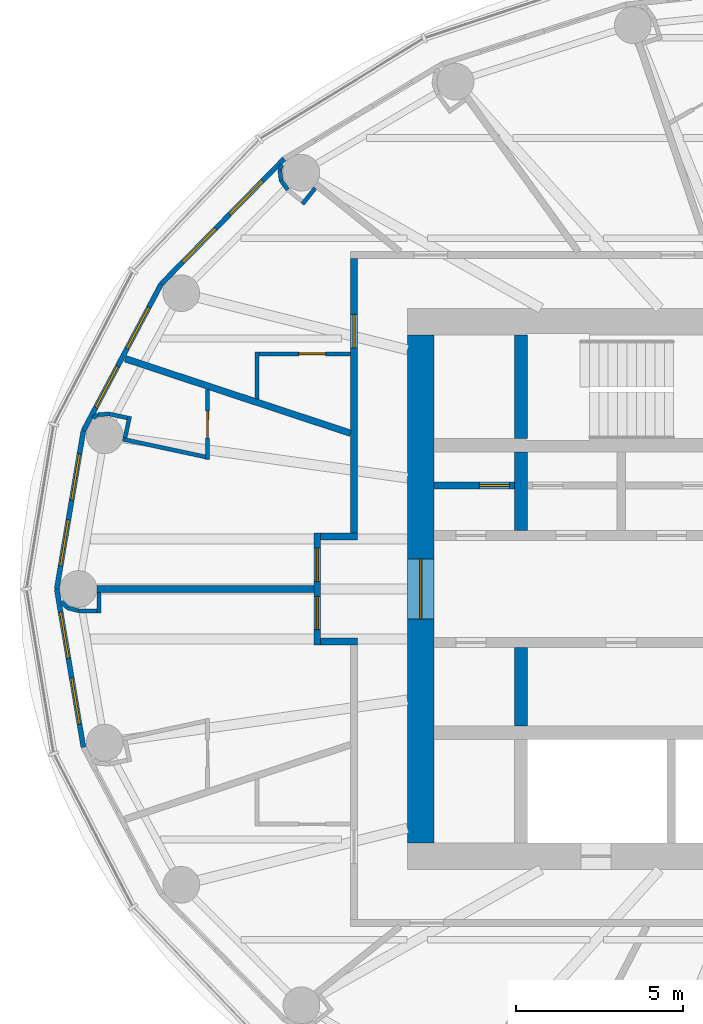
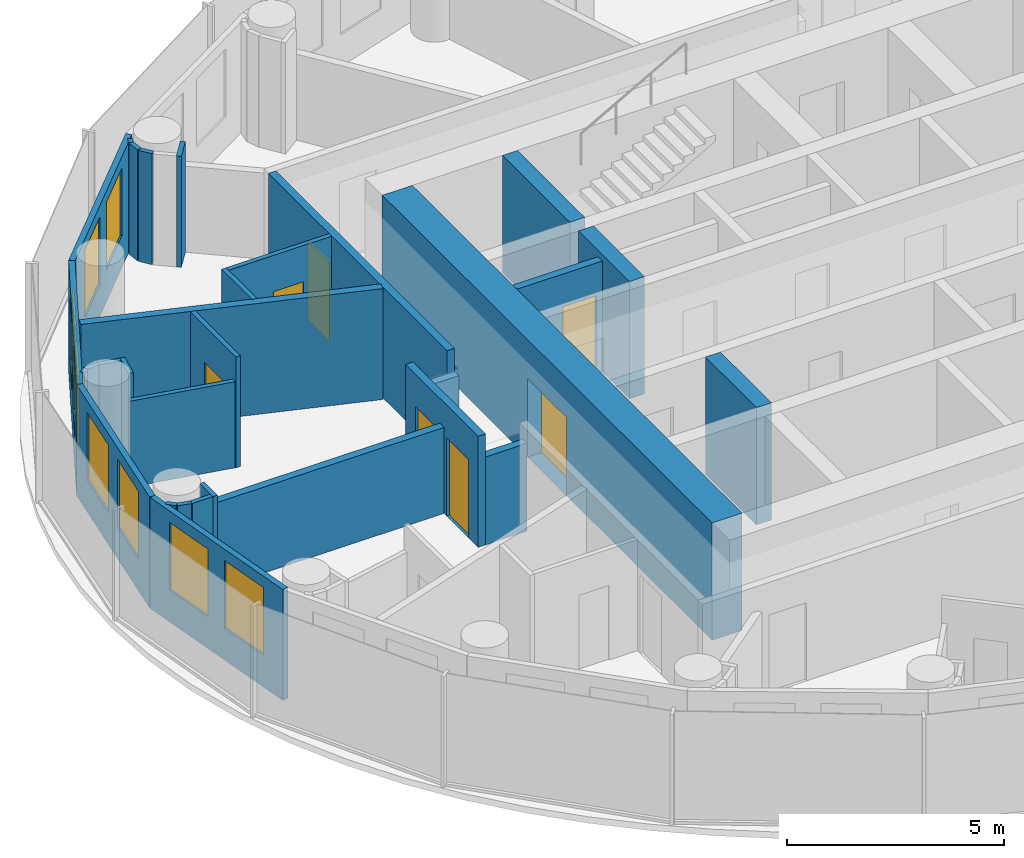
# One storey, part 8 of 13: 31 walls, 8 windows, 7 doors, 15 openings.
"""IFC4 building model written with IfcOpenShell, lengths in metres."""

from ifc_helpers import new_model, si_unit, direction, frame, frame_2d, origin, place, context, subcontext, project, spatial, rectangle, extrude, material, layer, layer_set, type_object, element, fill, save


model = new_model("IFC4")

# Units and contexts
model_context = context("Model", 3, precision=1e-05, world=origin(), true_north=direction((0.0, 1.0)))
body_context = subcontext(model_context, "Body", "Model", "MODEL_VIEW")
ifc_project = project(units=[si_unit("LENGTHUNIT", "METRE"), si_unit("AREAUNIT", "SQUARE_METRE"), si_unit("VOLUMEUNIT", "CUBIC_METRE"), si_unit("PLANEANGLEUNIT", "RADIAN"), si_unit("MASSUNIT", "GRAM", prefix="KILO")], contexts=[model_context])

# Site, building, storey
site_placement = place(None, origin())
site = spatial("IfcSite", under=ifc_project, at=site_placement, CompositionType="ELEMENT")
building_placement = place(site_placement, origin())
building = spatial("IfcBuilding", under=site, at=building_placement, Name="Hankou Lantern Tower", CompositionType="ELEMENT")
storey_placement = place(building_placement, frame((0.0, 0.0, 156.60009765625)))
storey = spatial("IfcBuildingStorey", under=building, at=storey_placement, Name="L41", CompositionType="ELEMENT", Elevation=156.60009765625)

# Wall, opening, door
ifc_material_1 = material(Name="Concrete C60", Category="concrete")
ifc_layer_1 = layer(ifc_material_1, 0.800048828125)
ifc_layer_set_1 = layer_set([ifc_layer_1], Name="Concrete C60")
wall_type_1 = type_object("IfcWallType", Name="CW2 CORE WALL 800", PredefinedType="SHEAR", material=ifc_layer_set_1)
wall_1_placement = place(storey_placement, frame((-12.0, 7.60009765625, 0.0), z_axis=(0.0, 0.0, 1.0), x_axis=(0.0, -1.0, 0.0)))
wall_1 = element("IfcWall", 1, at=wall_1_placement, inside=storey, type_object=wall_type_1, Name="Core wall west L41", PredefinedType="SHEAR", context=body_context, shape_type="SweptSolid", body=[
    extrude(rectangle(XDim=15.2001953125, YDim=0.800048828125, at=frame_2d((7.60009765625, 0.0))), origin(), (0.0, 0.0, 1.0), 3.2998046875),
])
opening_1_placement = place(wall_1_placement, frame((6.699951171875, 0.0, 0.0)))
opening_1 = element("IfcOpeningElement", 2, at=opening_1_placement, cuts=wall_1, Name="Opening D6", PredefinedType="OPENING", context=body_context, shape_type="SweptSolid", body=[
    extrude(rectangle(XDim=1.800048828125, YDim=2.199951171875, at=frame_2d((0.89990234375, 1.10009765625))), frame((0.0, 0.409912109375, 0.0), z_axis=(0.0, -1.0, 0.0), x_axis=(1.0, 0.0, 0.0)), (0.0, 0.0, 1.0), 0.820068359375),
])
ifc_material_2 = material(Name="Steel door leaf", Category="steel")
door_type_1 = type_object("IfcDoorType", Name="D6 LIFT LOBBY DOOR 1800X2200", OperationType="DOUBLE_DOOR_DOUBLE_SWING", PredefinedType="DOOR", material=ifc_material_2)
door_1_placement = place(opening_1_placement, origin())
door_1 = element("IfcDoor", 3, at=door_1_placement, inside=storey, type_object=door_type_1, Name="Lift lobby west door", OperationType="DOUBLE_DOOR_DOUBLE_SWING", OverallHeight=2.199951171875, OverallWidth=1.800048828125, PredefinedType="DOOR", context=body_context, shape_type="SweptSolid", body=[
    extrude(rectangle(XDim=1.800048828125, YDim=2.199951171875, at=frame_2d((0.89990234375, 1.10009765625))), frame((0.0, 0.02490234375, 0.0), z_axis=(0.0, -1.0, 0.0), x_axis=(1.0, 0.0, 0.0)), (0.0, 0.0, 1.0), 0.050048828125),
])
fill(opening_1, door_1)

# Walls
ifc_material_3 = material(Name="Concrete C60", Category="concrete")
ifc_layer_2 = layer(ifc_material_3, 0.39990234375)
ifc_layer_set_2 = layer_set([ifc_layer_2], Name="Concrete C60")
wall_type_2 = type_object("IfcWallType", Name="CW4 CORE CROSS WALL 400", PredefinedType="SHEAR", material=ifc_layer_set_2)
wall_2_placement = place(storey_placement, frame((-9.0, 4.5, 0.0), z_axis=(0.0, 0.0, 1.0), x_axis=(0.0, 1.0, 0.0)))
element("IfcWall", 4, at=wall_2_placement, inside=storey, type_object=wall_type_2, Name="Core strip wall L41", PredefinedType="SHEAR", context=body_context, shape_type="SweptSolid", body=[
    extrude(rectangle(XDim=3.10009765625, YDim=0.39990234375, at=frame_2d((1.550048828125, 0.0))), origin(), (0.0, 0.0, 1.0), 3.2998046875),
])
for number, where, z_axis, x_axis, name in (
    (5, (-9.0, 1.75, 0.0), (0.0, 0.0, 1.0), (0.0, 1.0, 0.0), "Core strip wall L41"),
    (6, (-9.0, -4.10009765625, 0.0), (0.0, 0.0, 1.0), (0.0, 1.0, 0.0), "Core strip wall L41"),
):
    element("IfcWall", number, at=place(storey_placement, frame(where, z_axis=z_axis, x_axis=x_axis)), inside=storey, type_object=wall_type_2, Name=name, PredefinedType="SHEAR", context=body_context, shape_type="SweptSolid", body=[
        extrude(rectangle(XDim=2.35009765625, YDim=0.39990234375, at=frame_2d((1.175048828125, 0.0))), origin(), (0.0, 0.0, 1.0), 3.2998046875),
    ])

# Wall, openings, windows
ifc_material_4 = material(Name="Aluminium spandrel panel on steel studs", Category="steel")
ifc_layer_3 = layer(ifc_material_4, 0.14990234375)
ifc_layer_set_3 = layer_set([ifc_layer_3], Name="Aluminium spandrel panel on steel studs")
wall_type_3 = type_object("IfcWallType", Name="EW1 INNER SKIN WALL 150", PredefinedType="ELEMENTEDWALL", material=ifc_layer_set_3)
wall_3_placement = place(storey_placement, frame((-16.0947265625, 12.875732421875, 0.0), z_axis=(0.0, 0.0, 1.0), x_axis=(-0.700727467776, -0.71342905457, 0.0)))
wall_3 = element("IfcWall", 7, at=wall_3_placement, inside=storey, type_object=wall_type_3, Name="Inner skin R10-R11 L41", PredefinedType="ELEMENTEDWALL", context=body_context, shape_type="SweptSolid", body=[
    extrude(rectangle(XDim=5.247314453125, YDim=0.14990234375, at=frame_2d((2.62353515625, 0.0))), origin(), (0.0, 0.0, 1.0), 3.119873046875),
])
opening_2_placement = place(wall_3_placement, frame((0.923583984375, 0.0, 0.89990234375)))
opening_2 = element("IfcOpeningElement", 8, at=opening_2_placement, cuts=wall_3, Name="Opening W3", PredefinedType="OPENING", context=body_context, shape_type="SweptSolid", body=[
    extrude(rectangle(XDim=1.39990234375, YDim=1.89990234375, at=frame_2d((0.699951171875, 0.949951171875))), frame((0.0, 0.0849609375, 0.0), z_axis=(0.0, -1.0, 0.0), x_axis=(1.0, 0.0, 0.0)), (0.0, 0.0, 1.0), 0.169921875),
])
opening_3_placement = place(wall_3_placement, frame((2.923583984375, 0.0, 0.89990234375)))
opening_3 = element("IfcOpeningElement", 9, at=opening_3_placement, cuts=wall_3, Name="Opening W3", PredefinedType="OPENING", context=body_context, shape_type="SweptSolid", body=[
    extrude(rectangle(XDim=1.39990234375, YDim=1.89990234375, at=frame_2d((0.699951171875, 0.949951171875))), frame((0.0, 0.0849609375, 0.0), z_axis=(0.0, -1.0, 0.0), x_axis=(1.0, 0.0, 0.0)), (0.0, 0.0, 1.0), 0.169921875),
])
ifc_material_5 = material(Name="Aluminium framed double glazed window", Category="aluminium")
window_type = type_object("IfcWindowType", Name="W3 GUEST ROOM WINDOW 1400X1900", PartitioningType="DOUBLE_PANEL_VERTICAL", PredefinedType="WINDOW", material=ifc_material_5)
window_1_placement = place(opening_2_placement, origin())
window_1 = element("IfcWindow", 10, at=window_1_placement, inside=storey, type_object=window_type, Name="Window R10.1 L41", OverallHeight=1.89990234375, OverallWidth=1.39990234375, PartitioningType="SINGLE_PANEL", PredefinedType="WINDOW", context=body_context, shape_type="SweptSolid", body=[
    extrude(rectangle(XDim=1.39990234375, YDim=1.89990234375, at=frame_2d((0.699951171875, 0.949951171875))), frame((0.0, 0.030029296875, 0.0), z_axis=(0.0, -1.0, 0.0), x_axis=(1.0, 0.0, 0.0)), (0.0, 0.0, 1.0), 0.06005859375),
])
fill(opening_2, window_1)
window_2_placement = place(opening_3_placement, origin())
window_2 = element("IfcWindow", 11, at=window_2_placement, inside=storey, type_object=window_type, Name="Window R10.2 L41", OverallHeight=1.89990234375, OverallWidth=1.39990234375, PartitioningType="SINGLE_PANEL", PredefinedType="WINDOW", context=body_context, shape_type="SweptSolid", body=[
    extrude(rectangle(XDim=1.39990234375, YDim=1.89990234375, at=frame_2d((0.699951171875, 0.949951171875))), frame((0.0, 0.030029296875, 0.0), z_axis=(0.0, -1.0, 0.0), x_axis=(1.0, 0.0, 0.0)), (0.0, 0.0, 1.0), 0.06005859375),
])
fill(opening_3, window_2)

wall_4_placement = place(storey_placement, frame((-19.771728515625, 9.132080078125, 0.0), z_axis=(0.0, 0.0, 1.0), x_axis=(-0.468428906714, -0.883501193748, 0.0)))
wall_4 = element("IfcWall", 12, at=wall_4_placement, inside=storey, type_object=wall_type_3, Name="Inner skin R11-R12 L41", PredefinedType="ELEMENTEDWALL", context=body_context, shape_type="SweptSolid", body=[
    extrude(rectangle(XDim=4.9736328125, YDim=0.14990234375, at=frame_2d((2.48681640625, 0.0))), origin(), (0.0, 0.0, 1.0), 3.119873046875),
])
opening_4_placement = place(wall_4_placement, frame((0.786865234375, 0.0, 0.89990234375)))
opening_4 = element("IfcOpeningElement", 13, at=opening_4_placement, cuts=wall_4, Name="Opening W3", PredefinedType="OPENING", context=body_context, shape_type="SweptSolid", body=[
    extrude(rectangle(XDim=1.39990234375, YDim=1.89990234375, at=frame_2d((0.699951171875, 0.949951171875))), frame((0.0, 0.0849609375, 0.0), z_axis=(0.0, -1.0, 0.0), x_axis=(1.0, 0.0, 0.0)), (0.0, 0.0, 1.0), 0.169921875),
])
opening_5_placement = place(wall_4_placement, frame((2.786865234375, 0.0, 0.89990234375)))
opening_5 = element("IfcOpeningElement", 14, at=opening_5_placement, cuts=wall_4, Name="Opening W3", PredefinedType="OPENING", context=body_context, shape_type="SweptSolid", body=[
    extrude(rectangle(XDim=1.39990234375, YDim=1.89990234375, at=frame_2d((0.699951171875, 0.949951171875))), frame((0.0, 0.0849609375, 0.0), z_axis=(0.0, -1.0, 0.0), x_axis=(1.0, 0.0, 0.0)), (0.0, 0.0, 1.0), 0.169921875),
])
window_3_placement = place(opening_4_placement, origin())
window_3 = element("IfcWindow", 15, at=window_3_placement, inside=storey, type_object=window_type, Name="Window R11.1 L41", OverallHeight=1.89990234375, OverallWidth=1.39990234375, PartitioningType="SINGLE_PANEL", PredefinedType="WINDOW", context=body_context, shape_type="SweptSolid", body=[
    extrude(rectangle(XDim=1.39990234375, YDim=1.89990234375, at=frame_2d((0.699951171875, 0.949951171875))), frame((0.0, 0.030029296875, 0.0), z_axis=(0.0, -1.0, 0.0), x_axis=(1.0, 0.0, 0.0)), (0.0, 0.0, 1.0), 0.06005859375),
])
fill(opening_4, window_3)
window_4_placement = place(opening_5_placement, origin())
window_4 = element("IfcWindow", 16, at=window_4_placement, inside=storey, type_object=window_type, Name="Window R11.2 L41", OverallHeight=1.89990234375, OverallWidth=1.39990234375, PartitioningType="SINGLE_PANEL", PredefinedType="WINDOW", context=body_context, shape_type="SweptSolid", body=[
    extrude(rectangle(XDim=1.39990234375, YDim=1.89990234375, at=frame_2d((0.699951171875, 0.949951171875))), frame((0.0, 0.030029296875, 0.0), z_axis=(0.0, -1.0, 0.0), x_axis=(1.0, 0.0, 0.0)), (0.0, 0.0, 1.0), 0.06005859375),
])
fill(opening_5, window_4)

wall_5_placement = place(storey_placement, frame((-22.1015625, 4.73779296875, 0.0), z_axis=(0.0, 0.0, 1.0), x_axis=(-0.166162111254, -0.986098449843, 0.0)))
wall_5 = element("IfcWall", 17, at=wall_5_placement, inside=storey, type_object=wall_type_3, Name="Inner skin R12-R13 L41", PredefinedType="ELEMENTEDWALL", context=body_context, shape_type="SweptSolid", body=[
    extrude(rectangle(XDim=4.8046875, YDim=0.14990234375, at=frame_2d((2.40234375, 0.0))), origin(), (0.0, 0.0, 1.0), 3.119873046875),
])
opening_6_placement = place(wall_5_placement, frame((0.7021484375, 0.0, 0.89990234375)))
opening_6 = element("IfcOpeningElement", 18, at=opening_6_placement, cuts=wall_5, Name="Opening W3", PredefinedType="OPENING", context=body_context, shape_type="SweptSolid", body=[
    extrude(rectangle(XDim=1.39990234375, YDim=1.89990234375, at=frame_2d((0.699951171875, 0.949951171875))), frame((0.0, 0.0849609375, 0.0), z_axis=(0.0, -1.0, 0.0), x_axis=(1.0, 0.0, 0.0)), (0.0, 0.0, 1.0), 0.169921875),
])
opening_7_placement = place(wall_5_placement, frame((2.7021484375, 0.0, 0.89990234375)))
opening_7 = element("IfcOpeningElement", 19, at=opening_7_placement, cuts=wall_5, Name="Opening W3", PredefinedType="OPENING", context=body_context, shape_type="SweptSolid", body=[
    extrude(rectangle(XDim=1.39990234375, YDim=1.89990234375, at=frame_2d((0.699951171875, 0.949951171875))), frame((0.0, 0.0849609375, 0.0), z_axis=(0.0, -1.0, 0.0), x_axis=(1.0, 0.0, 0.0)), (0.0, 0.0, 1.0), 0.169921875),
])
window_5_placement = place(opening_6_placement, origin())
window_5 = element("IfcWindow", 20, at=window_5_placement, inside=storey, type_object=window_type, Name="Window R12.1 L41", OverallHeight=1.89990234375, OverallWidth=1.39990234375, PartitioningType="SINGLE_PANEL", PredefinedType="WINDOW", context=body_context, shape_type="SweptSolid", body=[
    extrude(rectangle(XDim=1.39990234375, YDim=1.89990234375, at=frame_2d((0.699951171875, 0.949951171875))), frame((0.0, 0.030029296875, 0.0), z_axis=(0.0, -1.0, 0.0), x_axis=(1.0, 0.0, 0.0)), (0.0, 0.0, 1.0), 0.06005859375),
])
fill(opening_6, window_5)
window_6_placement = place(opening_7_placement, origin())
window_6 = element("IfcWindow", 21, at=window_6_placement, inside=storey, type_object=window_type, Name="Window R12.2 L41", OverallHeight=1.89990234375, OverallWidth=1.39990234375, PartitioningType="SINGLE_PANEL", PredefinedType="WINDOW", context=body_context, shape_type="SweptSolid", body=[
    extrude(rectangle(XDim=1.39990234375, YDim=1.89990234375, at=frame_2d((0.699951171875, 0.949951171875))), frame((0.0, 0.030029296875, 0.0), z_axis=(0.0, -1.0, 0.0), x_axis=(1.0, 0.0, 0.0)), (0.0, 0.0, 1.0), 0.06005859375),
])
fill(opening_7, window_6)

wall_6_placement = place(storey_placement, frame((-22.89990234375, 0.0, 0.0), z_axis=(0.0, 0.0, 1.0), x_axis=(0.166162111254, -0.986098449843, 0.0)))
wall_6 = element("IfcWall", 22, at=wall_6_placement, inside=storey, type_object=wall_type_3, Name="Inner skin R13-R14 L41", PredefinedType="ELEMENTEDWALL", context=body_context, shape_type="SweptSolid", body=[
    extrude(rectangle(XDim=4.8046875, YDim=0.14990234375, at=frame_2d((2.40234375, 0.0))), origin(), (0.0, 0.0, 1.0), 3.119873046875),
])
opening_8_placement = place(wall_6_placement, frame((0.7021484375, 0.0, 0.89990234375)))
opening_8 = element("IfcOpeningElement", 23, at=opening_8_placement, cuts=wall_6, Name="Opening W3", PredefinedType="OPENING", context=body_context, shape_type="SweptSolid", body=[
    extrude(rectangle(XDim=1.39990234375, YDim=1.89990234375, at=frame_2d((0.699951171875, 0.949951171875))), frame((0.0, 0.0849609375, 0.0), z_axis=(0.0, -1.0, 0.0), x_axis=(1.0, 0.0, 0.0)), (0.0, 0.0, 1.0), 0.169921875),
])
opening_9_placement = place(wall_6_placement, frame((2.7021484375, 0.0, 0.89990234375)))
opening_9 = element("IfcOpeningElement", 24, at=opening_9_placement, cuts=wall_6, Name="Opening W3", PredefinedType="OPENING", context=body_context, shape_type="SweptSolid", body=[
    extrude(rectangle(XDim=1.39990234375, YDim=1.89990234375, at=frame_2d((0.699951171875, 0.949951171875))), frame((0.0, 0.0849609375, 0.0), z_axis=(0.0, -1.0, 0.0), x_axis=(1.0, 0.0, 0.0)), (0.0, 0.0, 1.0), 0.169921875),
])
window_7_placement = place(opening_8_placement, origin())
window_7 = element("IfcWindow", 25, at=window_7_placement, inside=storey, type_object=window_type, Name="Window R13.1 L41", OverallHeight=1.89990234375, OverallWidth=1.39990234375, PartitioningType="SINGLE_PANEL", PredefinedType="WINDOW", context=body_context, shape_type="SweptSolid", body=[
    extrude(rectangle(XDim=1.39990234375, YDim=1.89990234375, at=frame_2d((0.699951171875, 0.949951171875))), frame((0.0, 0.030029296875, 0.0), z_axis=(0.0, -1.0, 0.0), x_axis=(1.0, 0.0, 0.0)), (0.0, 0.0, 1.0), 0.06005859375),
])
fill(opening_8, window_7)
window_8_placement = place(opening_9_placement, origin())
window_8 = element("IfcWindow", 26, at=window_8_placement, inside=storey, type_object=window_type, Name="Window R13.2 L41", OverallHeight=1.89990234375, OverallWidth=1.39990234375, PartitioningType="SINGLE_PANEL", PredefinedType="WINDOW", context=body_context, shape_type="SweptSolid", body=[
    extrude(rectangle(XDim=1.39990234375, YDim=1.89990234375, at=frame_2d((0.699951171875, 0.949951171875))), frame((0.0, 0.030029296875, 0.0), z_axis=(0.0, -1.0, 0.0), x_axis=(1.0, 0.0, 0.0)), (0.0, 0.0, 1.0), 0.06005859375),
])
fill(opening_9, window_8)

# Walls
ifc_material_6 = material(Name="Masonry lightweight concrete block", Category="masonry")
ifc_layer_4 = layer(ifc_material_6, 0.199951171875)
ifc_layer_set_4 = layer_set([ifc_layer_4], Name="Masonry lightweight concrete block")
wall_type_4 = type_object("IfcWallType", Name="IW1 GUEST ROOM PARTY WALL 200", PredefinedType="PARTITIONING", material=ifc_layer_set_4)
wall_7_placement = place(storey_placement, frame((-14.10009765625, 4.661376953125, 0.0), z_axis=(0.0, 0.0, 1.0), x_axis=(-0.949453216399, 0.313908569285, 0.0)))
element("IfcWall", 27, at=wall_7_placement, inside=storey, type_object=wall_type_4, Name="Party wall R11-R12", PredefinedType="PARTITIONING", context=body_context, shape_type="SweptSolid", body=[
    extrude(rectangle(XDim=7.108642578125, YDim=0.199951171875, at=frame_2d((3.55419921875, 0.0))), origin(), (0.0, 0.0, 1.0), 3.119873046875),
])
wall_8_placement = place(storey_placement, frame((-15.199951171875, 0.0, 0.0), z_axis=(0.0, 0.0, 1.0), x_axis=(-1.0, 0.0, 0.0)))
element("IfcWall", 28, at=wall_8_placement, inside=storey, type_object=wall_type_4, Name="Party wall R13", PredefinedType="PARTITIONING", context=body_context, shape_type="SweptSolid", body=[
    extrude(rectangle(XDim=6.5, YDim=0.199951171875, at=frame_2d((3.25, 0.0))), origin(), (0.0, 0.0, 1.0), 2.419921875),
])

# Wall, openings, doors
ifc_material_7 = material(Name="Masonry lightweight concrete block", Category="masonry")
ifc_layer_5 = layer(ifc_material_7, 0.199951171875)
ifc_layer_set_5 = layer_set([ifc_layer_5], Name="Masonry lightweight concrete block")
wall_type_5 = type_object("IfcWallType", Name="IW2 CORRIDOR WALL 200", PredefinedType="PARTITIONING", material=ifc_layer_set_5)
wall_9_placement = place(storey_placement, frame((-15.10009765625, 1.669921875, 0.0), z_axis=(0.0, 0.0, 1.0), x_axis=(0.0, -1.0, 0.0)))
wall_9 = element("IfcWall", 29, at=wall_9_placement, inside=storey, type_object=wall_type_5, Name="Corridor alcove wall 4103-4104 back", PredefinedType="PARTITIONING", context=body_context, shape_type="SweptSolid", body=[
    extrude(rectangle(XDim=3.33984375, YDim=0.199951171875, at=frame_2d((1.669921875, 0.0))), origin(), (0.0, 0.0, 1.0), 3.119873046875),
])
opening_10_placement = place(wall_9_placement, frame((0.449951171875, 0.0, 0.0)))
opening_10 = element("IfcOpeningElement", 30, at=opening_10_placement, cuts=wall_9, Name="Opening D1", PredefinedType="OPENING", context=body_context, shape_type="SweptSolid", body=[
    extrude(rectangle(XDim=1.0, YDim=2.199951171875, at=frame_2d((0.5, 1.10009765625))), frame((0.0, 0.10986328125, 0.0), z_axis=(0.0, -1.0, 0.0), x_axis=(1.0, 0.0, 0.0)), (0.0, 0.0, 1.0), 0.219970703125),
])
opening_11_placement = place(wall_9_placement, frame((1.889892578125, 0.0, 0.0)))
opening_11 = element("IfcOpeningElement", 31, at=opening_11_placement, cuts=wall_9, Name="Opening D1", PredefinedType="OPENING", context=body_context, shape_type="SweptSolid", body=[
    extrude(rectangle(XDim=1.0, YDim=2.199951171875, at=frame_2d((0.5, 1.10009765625))), frame((0.0, 0.10986328125, 0.0), z_axis=(0.0, -1.0, 0.0), x_axis=(1.0, 0.0, 0.0)), (0.0, 0.0, 1.0), 0.219970703125),
])
ifc_material_8 = material(Name="Steel door leaf", Category="steel")
door_type_2 = type_object("IfcDoorType", Name="D1 GUEST ROOM DOOR 1000X2200", OperationType="SINGLE_SWING_LEFT", PredefinedType="DOOR", material=ifc_material_8)
door_2_placement = place(opening_10_placement, origin())
door_2 = element("IfcDoor", 32, at=door_2_placement, inside=storey, type_object=door_type_2, Name="Guest room door 4103", OperationType="SINGLE_SWING_LEFT", OverallHeight=2.199951171875, OverallWidth=1.0, PredefinedType="DOOR", context=body_context, shape_type="SweptSolid", body=[
    extrude(rectangle(XDim=1.0, YDim=2.199951171875, at=frame_2d((0.5, 1.10009765625))), frame((0.0, 0.02490234375, 0.0), z_axis=(0.0, -1.0, 0.0), x_axis=(1.0, 0.0, 0.0)), (0.0, 0.0, 1.0), 0.050048828125),
])
fill(opening_10, door_2)
door_3_placement = place(opening_11_placement, origin())
door_3 = element("IfcDoor", 33, at=door_3_placement, inside=storey, type_object=door_type_2, Name="Guest room door 4104", OperationType="SINGLE_SWING_RIGHT", OverallHeight=2.199951171875, OverallWidth=1.0, PredefinedType="DOOR", context=body_context, shape_type="SweptSolid", body=[
    extrude(rectangle(XDim=1.0, YDim=2.199951171875, at=frame_2d((0.5, 1.10009765625))), frame((0.0, 0.02490234375, 0.0), z_axis=(0.0, -1.0, 0.0), x_axis=(1.0, 0.0, 0.0)), (0.0, 0.0, 1.0), 0.050048828125),
])
fill(opening_11, door_3)

# Walls
for number, where, z_axis, x_axis, name in (
    (34, (-13.89990234375, 1.570068359375, 0.0), (0.0, 0.0, 1.0), (-1.0, 0.0, 0.0), "Corridor alcove wall 4103-4104 left"),
    (35, (-13.89990234375, -1.570068359375, 0.0), (0.0, 0.0, 1.0), (-1.0, 0.0, 0.0), "Corridor alcove wall 4103-4104 right"),
):
    element("IfcWall", number, at=place(storey_placement, frame(where, z_axis=z_axis, x_axis=x_axis)), inside=storey, type_object=wall_type_5, Name=name, PredefinedType="PARTITIONING", context=body_context, shape_type="SweptSolid", body=[
        extrude(rectangle(XDim=1.10009765625, YDim=0.199951171875, at=frame_2d((0.550048828125, 0.0))), origin(), (0.0, 0.0, 1.0), 2.469970703125),
    ])

# Wall, opening, door
wall_10_placement = place(storey_placement, frame((-14.0, 9.89990234375, 0.0), z_axis=(0.0, 0.0, 1.0), x_axis=(0.0, -1.0, 0.0)))
wall_10 = element("IfcWall", 36, at=wall_10_placement, inside=storey, type_object=wall_type_5, Name="Corridor wall west", PredefinedType="PARTITIONING", context=body_context, shape_type="SweptSolid", body=[
    extrude(rectangle(XDim=8.22998046875, YDim=0.199951171875, at=frame_2d((4.114990234375, 0.0))), origin(), (0.0, 0.0, 1.0), 3.119873046875),
])
opening_12_placement = place(wall_10_placement, frame((1.678466796875, 0.0, 0.0)))
opening_12 = element("IfcOpeningElement", 37, at=opening_12_placement, cuts=wall_10, Name="Opening D1", PredefinedType="OPENING", context=body_context, shape_type="SweptSolid", body=[
    extrude(rectangle(XDim=1.0, YDim=2.199951171875, at=frame_2d((0.5, 1.10009765625))), frame((0.0, 0.10986328125, 0.0), z_axis=(0.0, -1.0, 0.0), x_axis=(1.0, 0.0, 0.0)), (0.0, 0.0, 1.0), 0.219970703125),
])
door_4_placement = place(opening_12_placement, origin())
door_4 = element("IfcDoor", 38, at=door_4_placement, inside=storey, type_object=door_type_2, Name="Guest room door 4102", OperationType="SINGLE_SWING_LEFT", OverallHeight=2.199951171875, OverallWidth=1.0, PredefinedType="DOOR", context=body_context, shape_type="SweptSolid", body=[
    extrude(rectangle(XDim=1.0, YDim=2.199951171875, at=frame_2d((0.5, 1.10009765625))), frame((0.0, 0.02490234375, 0.0), z_axis=(0.0, -1.0, 0.0), x_axis=(1.0, 0.0, 0.0)), (0.0, 0.0, 1.0), 0.050048828125),
])
fill(opening_12, door_4)

# Wall
ifc_material_9 = material(Name="Masonry lightweight concrete block", Category="masonry")
ifc_layer_6 = layer(ifc_material_9, 0.1201171875)
ifc_layer_set_6 = layer_set([ifc_layer_6], Name="Masonry lightweight concrete block")
wall_type_6 = type_object("IfcWallType", Name="IW3 BATHROOM WALL 120", PredefinedType="PARTITIONING", material=ifc_layer_set_6)
wall_11_placement = place(storey_placement, frame((-16.89990234375, 5.687255859375, 0.0), z_axis=(0.0, 0.0, 1.0), x_axis=(0.0, 1.0, 0.0)))
element("IfcWall", 39, at=wall_11_placement, inside=storey, type_object=wall_type_6, Name="Box wall 4102 1", PredefinedType="PARTITIONING", context=body_context, shape_type="SweptSolid", body=[
    extrude(rectangle(XDim=1.414306640625, YDim=0.1201171875, at=frame_2d((0.70703125, 0.0))), origin(), (0.0, 0.0, 1.0), 3.119873046875),
])

# Wall, opening, door
wall_12_placement = place(storey_placement, frame((-14.10009765625, 7.04150390625, 0.0), z_axis=(0.0, 0.0, 1.0), x_axis=(-1.0, 0.0, 0.0)))
wall_12 = element("IfcWall", 40, at=wall_12_placement, inside=storey, type_object=wall_type_6, Name="Box wall 4102 1", PredefinedType="PARTITIONING", context=body_context, shape_type="SweptSolid", body=[
    extrude(rectangle(XDim=2.739990234375, YDim=0.1201171875, at=frame_2d((1.3701171875, 0.0))), origin(), (0.0, 0.0, 1.0), 3.119873046875),
])
opening_13_placement = place(wall_12_placement, frame((0.75, 0.0, 0.0)))
opening_13 = element("IfcOpeningElement", 41, at=opening_13_placement, cuts=wall_12, Name="Opening D3", PredefinedType="OPENING", context=body_context, shape_type="SweptSolid", body=[
    extrude(rectangle(XDim=0.800048828125, YDim=2.10009765625, at=frame_2d((0.39990234375, 1.050048828125))), frame((0.0, 0.070068359375, 0.0), z_axis=(0.0, -1.0, 0.0), x_axis=(1.0, 0.0, 0.0)), (0.0, 0.0, 1.0), 0.14013671875),
])
ifc_material_10 = material(Name="Timber door leaf", Category="wood")
door_type_3 = type_object("IfcDoorType", Name="D3 BATHROOM DOOR 800X2100", OperationType="SINGLE_SWING_LEFT", PredefinedType="DOOR", material=ifc_material_10)
door_5_placement = place(opening_13_placement, origin())
door_5 = element("IfcDoor", 42, at=door_5_placement, inside=storey, type_object=door_type_3, Name="En-suite bathroom 4102 door", OperationType="SINGLE_SWING_LEFT", OverallHeight=2.10009765625, OverallWidth=0.800048828125, PredefinedType="DOOR", context=body_context, shape_type="SweptSolid", body=[
    extrude(rectangle(XDim=0.800048828125, YDim=2.10009765625, at=frame_2d((0.39990234375, 1.050048828125))), frame((0.0, 0.02490234375, 0.0), z_axis=(0.0, -1.0, 0.0), x_axis=(1.0, 0.0, 0.0)), (0.0, 0.0, 1.0), 0.050048828125),
])
fill(opening_13, door_5)

wall_13_placement = place(storey_placement, frame((-18.380859375, 5.971435546875, 0.0), z_axis=(0.0, 0.0, 1.0), x_axis=(-0.000934142516, -0.999999563689, 0.0)))
wall_13 = element("IfcWall", 43, at=wall_13_placement, inside=storey, type_object=wall_type_6, Name="Box wall 4103 1", PredefinedType="PARTITIONING", context=body_context, shape_type="SweptSolid", body=[
    extrude(rectangle(XDim=2.0908203125, YDim=0.1201171875, at=frame_2d((1.04541015625, 0.0))), origin(), (0.0, 0.0, 1.0), 3.119873046875),
])
opening_14_placement = place(wall_13_placement, frame((0.6455078125, 0.0, 0.0)))
opening_14 = element("IfcOpeningElement", 44, at=opening_14_placement, cuts=wall_13, Name="Opening D3", PredefinedType="OPENING", context=body_context, shape_type="SweptSolid", body=[
    extrude(rectangle(XDim=0.800048828125, YDim=2.10009765625, at=frame_2d((0.39990234375, 1.050048828125))), frame((0.0, 0.070068359375, 0.0), z_axis=(0.0, -1.0, 0.0), x_axis=(1.0, 0.0, 0.0)), (0.0, 0.0, 1.0), 0.14013671875),
])
door_6_placement = place(opening_14_placement, origin())
door_6 = element("IfcDoor", 45, at=door_6_placement, inside=storey, type_object=door_type_3, Name="En-suite bathroom 4103 door", OperationType="SINGLE_SWING_LEFT", OverallHeight=2.10009765625, OverallWidth=0.800048828125, PredefinedType="DOOR", context=body_context, shape_type="SweptSolid", body=[
    extrude(rectangle(XDim=0.800048828125, YDim=2.10009765625, at=frame_2d((0.39990234375, 1.050048828125))), frame((0.0, 0.02490234375, 0.0), z_axis=(0.0, -1.0, 0.0), x_axis=(1.0, 0.0, 0.0)), (0.0, 0.0, 1.0), 0.050048828125),
])
fill(opening_14, door_6)

# Walls
wall_14_placement = place(storey_placement, frame((-18.44140625, 3.953125, 0.0), z_axis=(0.0, 0.0, 1.0), x_axis=(-0.977801007461, 0.209535652833, 0.0)))
element("IfcWall", 46, at=wall_14_placement, inside=storey, type_object=wall_type_6, Name="Box wall 4103 2", PredefinedType="PARTITIONING", context=body_context, shape_type="SweptSolid", body=[
    extrude(rectangle(XDim=2.5400390625, YDim=0.1201171875, at=frame_2d((1.27001953125, 0.0))), origin(), (0.0, 0.0, 1.0), 2.419921875),
])
wall_15_placement = place(storey_placement, frame((-20.853759765625, 4.531494140625, 0.0), z_axis=(0.0, 0.0, 1.0), x_axis=(0.209631346779, 0.977780496046, 0.0)))
element("IfcWall", 47, at=wall_15_placement, inside=storey, type_object=wall_type_6, Name="Column casing 4103 return", PredefinedType="PARTITIONING", context=body_context, shape_type="SweptSolid", body=[
    extrude(rectangle(XDim=0.652099609375, YDim=0.1201171875, at=frame_2d((0.326171875, 0.0))), origin(), (0.0, 0.0, 1.0), 3.119873046875),
])
wall_16_placement = place(storey_placement, frame((-20.788330078125, 5.123291015625, 0.0), z_axis=(0.0, 0.0, 1.0), x_axis=(-0.977789415726, 0.209589738521, 0.0)))
element("IfcWall", 48, at=wall_16_placement, inside=storey, type_object=wall_type_6, Name="Column casing 4103", PredefinedType="PARTITIONING", context=body_context, shape_type="SweptSolid", body=[
    extrude(rectangle(XDim=0.5498046875, YDim=0.1201171875, at=frame_2d((0.27490234375, 0.0))), origin(), (0.0, 0.0, 1.0), 3.119873046875),
])
wall_17_placement = place(storey_placement, frame((-21.325927734375, 5.238525390625, 0.0), z_axis=(0.0, 0.0, 1.0), x_axis=(-0.998719689441, -0.050586380797, 0.0)))
element("IfcWall", 49, at=wall_17_placement, inside=storey, type_object=wall_type_6, Name="Column casing 4103", PredefinedType="PARTITIONING", context=body_context, shape_type="SweptSolid", body=[
    extrude(rectangle(XDim=0.337890625, YDim=0.1201171875, at=frame_2d((0.1689453125, 0.0))), origin(), (0.0, 0.0, 1.0), 3.119873046875),
])
wall_18_placement = place(storey_placement, frame((-21.663330078125, 5.221435546875, 0.0), z_axis=(0.0, 0.0, 1.0), x_axis=(-0.839279022252, -0.543700949795, 0.0)))
element("IfcWall", 50, at=wall_18_placement, inside=storey, type_object=wall_type_6, Name="Column casing 4103", PredefinedType="PARTITIONING", context=body_context, shape_type="SweptSolid", body=[
    extrude(rectangle(XDim=0.18017578125, YDim=0.1201171875, at=frame_2d((0.090087890625, 0.0))), origin(), (0.0, 0.0, 1.0), 3.119873046875),
])
ifc_material_11 = material(Name="Masonry lightweight concrete block", Category="masonry")
ifc_layer_7 = layer(ifc_material_11, 0.1201171875)
ifc_layer_set_7 = layer_set([ifc_layer_7], Name="Masonry lightweight concrete block")
wall_type_7 = type_object("IfcWallType", Name="IW4 PARTITION 120", PredefinedType="PARTITIONING", material=ifc_layer_set_7)
wall_19_placement = place(storey_placement, frame((-15.162353515625, 12.001708984375, 0.0), z_axis=(0.0, 0.0, 1.0), x_axis=(-0.624597762427, -0.780946627607, 0.0)))
element("IfcWall", 51, at=wall_19_placement, inside=storey, type_object=wall_type_7, Name="Column casing R10 return", PredefinedType="PARTITIONING", context=body_context, shape_type="SweptSolid", body=[
    extrude(rectangle(XDim=0.612060546875, YDim=0.1201171875, at=frame_2d((0.30615234375, 0.0))), origin(), (0.0, 0.0, 1.0), 3.119873046875),
])
wall_20_placement = place(storey_placement, frame((-15.983642578125, 11.95166015625, 0.0), z_axis=(0.0, 0.0, 1.0), x_axis=(-0.592335221171, 0.805691619517, 0.0)))
element("IfcWall", 52, at=wall_20_placement, inside=storey, type_object=wall_type_7, Name="Column casing R10", PredefinedType="PARTITIONING", context=body_context, shape_type="SweptSolid", body=[
    extrude(rectangle(XDim=0.337646484375, YDim=0.1201171875, at=frame_2d((0.1689453125, 0.0))), origin(), (0.0, 0.0, 1.0), 3.119873046875),
])
wall_21_placement = place(storey_placement, frame((-16.18359375, 12.2236328125, 0.0), z_axis=(0.0, 0.0, 1.0), x_axis=(-0.110669692975, 0.993857242795, 0.0)))
element("IfcWall", 53, at=wall_21_placement, inside=storey, type_object=wall_type_7, Name="Column casing R10", PredefinedType="PARTITIONING", context=body_context, shape_type="SweptSolid", body=[
    extrude(rectangle(XDim=0.33740234375, YDim=0.1201171875, at=frame_2d((0.168701171875, 0.0))), origin(), (0.0, 0.0, 1.0), 3.119873046875),
])
wall_22_placement = place(storey_placement, frame((-16.220947265625, 12.55908203125, 0.0), z_axis=(0.0, 0.0, 1.0), x_axis=(0.401064416249, 0.916049853457, 0.0)))
element("IfcWall", 54, at=wall_22_placement, inside=storey, type_object=wall_type_7, Name="Column casing R10", PredefinedType="PARTITIONING", context=body_context, shape_type="SweptSolid", body=[
    extrude(rectangle(XDim=0.156494140625, YDim=0.1201171875, at=frame_2d((0.078125, 0.0))), origin(), (0.0, 0.0, 1.0), 3.119873046875),
])
wall_23_placement = place(storey_placement, frame((-21.639892578125, -0.10009765625, 0.0), z_axis=(0.0, 0.0, 1.0), x_axis=(0.0, -1.0, 0.0)))
element("IfcWall", 55, at=wall_23_placement, inside=storey, type_object=wall_type_7, Name="Column casing R13 return", PredefinedType="PARTITIONING", context=body_context, shape_type="SweptSolid", body=[
    extrude(rectangle(XDim=0.612060546875, YDim=0.1201171875, at=frame_2d((0.30615234375, 0.0))), origin(), (0.0, 0.0, 1.0), 3.119873046875),
])
wall_24_placement = place(storey_placement, frame((-21.699951171875, -0.65234375, 0.0), z_axis=(0.0, 0.0, 1.0), x_axis=(-1.0, 0.0, 0.0)))
element("IfcWall", 56, at=wall_24_placement, inside=storey, type_object=wall_type_7, Name="Column casing R13", PredefinedType="PARTITIONING", context=body_context, shape_type="SweptSolid", body=[
    extrude(rectangle(XDim=0.550048828125, YDim=0.1201171875, at=frame_2d((0.27490234375, 0.0))), origin(), (0.0, 0.0, 1.0), 3.119873046875),
])
wall_25_placement = place(storey_placement, frame((-22.25, -0.65234375, 0.0), z_axis=(0.0, 0.0, 1.0), x_axis=(-0.965922233104, 0.258832454679, 0.0)))
element("IfcWall", 57, at=wall_25_placement, inside=storey, type_object=wall_type_7, Name="Column casing R13", PredefinedType="PARTITIONING", context=body_context, shape_type="SweptSolid", body=[
    extrude(rectangle(XDim=0.337646484375, YDim=0.1201171875, at=frame_2d((0.1689453125, 0.0))), origin(), (0.0, 0.0, 1.0), 3.119873046875),
])
wall_26_placement = place(storey_placement, frame((-22.576171875, -0.56494140625, 0.0), z_axis=(0.0, 0.0, 1.0), x_axis=(-0.706639272724, 0.707573980757, 0.0)))
element("IfcWall", 58, at=wall_26_placement, inside=storey, type_object=wall_type_7, Name="Column casing R13", PredefinedType="PARTITIONING", context=body_context, shape_type="SweptSolid", body=[
    extrude(rectangle(XDim=0.26123046875, YDim=0.1201171875, at=frame_2d((0.130615234375, 0.0))), origin(), (0.0, 0.0, 1.0), 3.119873046875),
])

# Wall, opening, door
ifc_material_12 = material(Name="Masonry lightweight concrete block", Category="masonry")
ifc_layer_8 = layer(ifc_material_12, 0.199951171875)
ifc_layer_set_8 = layer_set([ifc_layer_8], Name="Masonry lightweight concrete block")
wall_type_8 = type_object("IfcWallType", Name="IW8 PARTITION 200", PredefinedType="PARTITIONING", material=ifc_layer_set_8)
wall_27_placement = place(storey_placement, frame((-11.60009765625, 3.10009765625, 0.0), z_axis=(0.0, 0.0, 1.0), x_axis=(1.0, 0.0, 0.0)))
wall_27 = element("IfcWall", 59, at=wall_27_placement, inside=storey, type_object=wall_type_8, Name="Partition engineering store", PredefinedType="PARTITIONING", context=body_context, shape_type="SweptSolid", body=[
    extrude(rectangle(XDim=2.400146484375, YDim=0.199951171875, at=frame_2d((1.2001953125, 0.0))), origin(), (0.0, 0.0, 1.0), 3.119873046875),
])
opening_15_placement = place(wall_27_placement, frame((1.35009765625, 0.0, 0.0)))
opening_15 = element("IfcOpeningElement", 60, at=opening_15_placement, cuts=wall_27, Name="Opening D12", PredefinedType="OPENING", context=body_context, shape_type="SweptSolid", body=[
    extrude(rectangle(XDim=0.89990234375, YDim=2.199951171875, at=frame_2d((0.449951171875, 1.10009765625))), frame((0.0, 0.10986328125, 0.0), z_axis=(0.0, -1.0, 0.0), x_axis=(1.0, 0.0, 0.0)), (0.0, 0.0, 1.0), 0.219970703125),
])
ifc_material_13 = material(Name="Steel door leaf", Category="steel")
door_type_4 = type_object("IfcDoorType", Name="D12 STORE DOOR 900X2200", OperationType="SINGLE_SWING_LEFT", PredefinedType="DOOR", material=ifc_material_13)
door_7_placement = place(opening_15_placement, origin())
door_7 = element("IfcDoor", 61, at=door_7_placement, inside=storey, type_object=door_type_4, Name="Electrical cupboard door", OperationType="SINGLE_SWING_RIGHT", OverallHeight=2.199951171875, OverallWidth=0.89990234375, PredefinedType="DOOR", context=body_context, shape_type="SweptSolid", body=[
    extrude(rectangle(XDim=0.89990234375, YDim=2.199951171875, at=frame_2d((0.449951171875, 1.10009765625))), frame((0.0, 0.02490234375, 0.0), z_axis=(0.0, -1.0, 0.0), x_axis=(1.0, 0.0, 0.0)), (0.0, 0.0, 1.0), 0.050048828125),
])
fill(opening_15, door_7)

save(model, "model.ifc")
